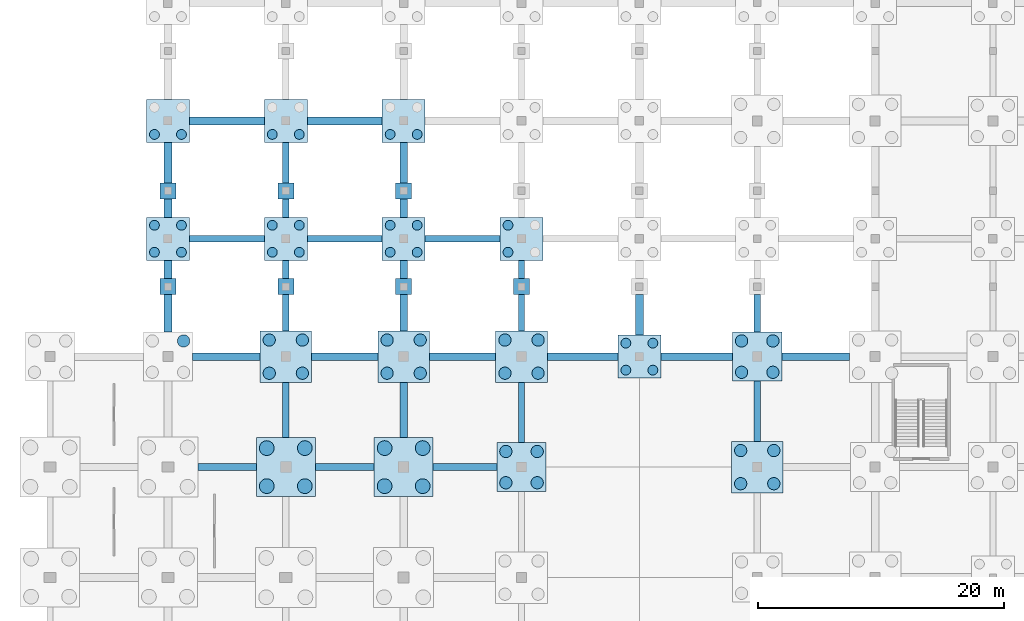
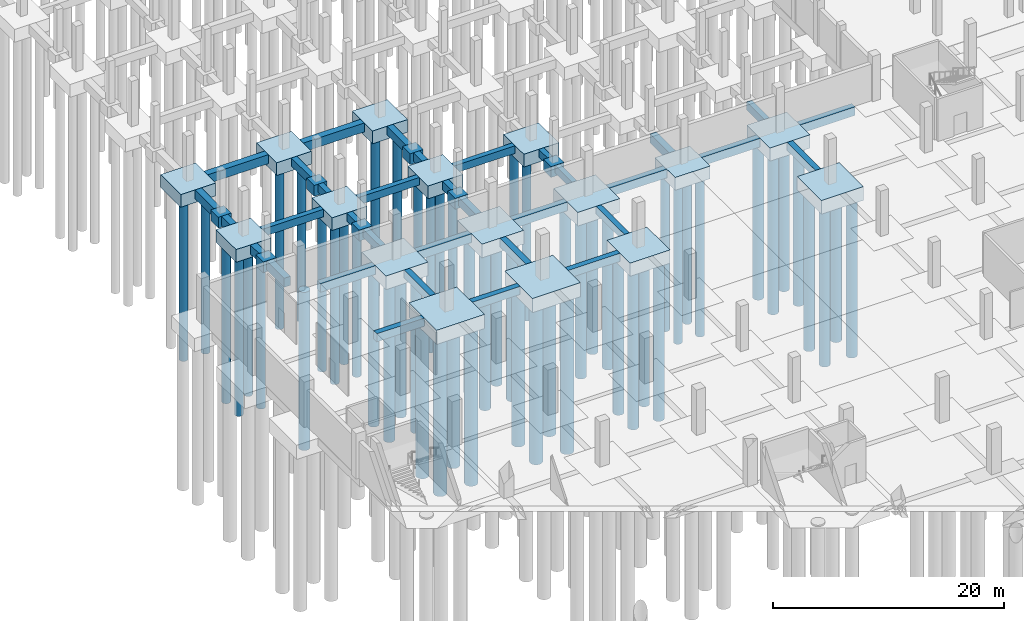
# One storey, part 6 of 39: 57 footings, 57 piles.
"""IFC4 building model written with IfcOpenShell, lengths in metres."""

from ifc_helpers import new_model, si_unit, direction, frame, origin, origin_2d, place, context, subcontext, project, spatial, polyline, rectangle, circle, outline, extrude, material, material_profile, profile_set, type_object, element, save


model = new_model("IFC4")

# Units and contexts
model_context = context("Model", 3, precision=1e-05, world=origin(), true_north=direction((0.0, 1.0)))
body_context = subcontext(model_context, "Body", "Model", "MODEL_VIEW")
ifc_project = project(units=[si_unit("LENGTHUNIT", "METRE"), si_unit("AREAUNIT", "SQUARE_METRE"), si_unit("VOLUMEUNIT", "CUBIC_METRE"), si_unit("PLANEANGLEUNIT", "RADIAN"), si_unit("MASSUNIT", "GRAM", prefix="KILO")], contexts=[model_context])

# Site, building, storey
site_placement = place(None, origin())
site = spatial("IfcSite", under=ifc_project, at=site_placement, CompositionType="ELEMENT")
building_placement = place(site_placement, origin())
building = spatial("IfcBuilding", under=site, at=building_placement, Name="Zarnetskaya Central Station", CompositionType="ELEMENT")
storey_placement = place(building_placement, frame((0.0, 0.0, -4.800048828125)))
storey = spatial("IfcBuildingStorey", under=building, at=storey_placement, Name="B1", CompositionType="ELEMENT", Elevation=-4.800048828125)

# Footings
ifc_material_1 = material(Name="Concrete C30/37", Category="concrete")
footing_type_1 = type_object("IfcFootingType", Name="FB-500x800", PredefinedType="FOOTING_BEAM", material=ifc_material_1)
footing_1_placement = place(storey_placement, frame((0.0, 0.0, -0.800048828125)))
element("IfcFooting", 1, at=footing_1_placement, inside=storey, type_object=footing_type_1, Name="Footing tie beam 10 B-C", PredefinedType="FOOTING_BEAM", context=body_context, shape_type="SweptSolid", body=[
    extrude(outline(polyline([(11.35009765625, 76.550048828125), (17.449951171875, 76.550048828125), (17.449951171875, 77.050048828125), (11.35009765625, 77.050048828125), (11.35009765625, 76.550048828125)])), origin(), (0.0, 0.0, 1.0), 0.800048828125),
])
footing_2_placement = place(storey_placement, frame((0.0, 0.0, -0.800048828125)))
element("IfcFooting", 2, at=footing_2_placement, inside=storey, type_object=footing_type_1, Name="Footing tie beam 10 C-D", PredefinedType="FOOTING_BEAM", context=body_context, shape_type="SweptSolid", body=[
    extrude(outline(polyline([(20.949951171875, 76.550048828125), (27.050048828125, 76.550048828125), (27.050048828125, 77.050048828125), (20.949951171875, 77.050048828125), (20.949951171875, 76.550048828125)])), origin(), (0.0, 0.0, 1.0), 0.800048828125),
])
footing_3_placement = place(storey_placement, frame((0.0, 0.0, -0.800048828125)))
element("IfcFooting", 3, at=footing_3_placement, inside=storey, type_object=footing_type_1, Name="Footing tie beam 10 D-E", PredefinedType="FOOTING_BEAM", context=body_context, shape_type="SweptSolid", body=[
    extrude(outline(polyline([(30.550048828125, 76.550048828125), (36.64990234375, 76.550048828125), (36.64990234375, 77.050048828125), (30.550048828125, 77.050048828125), (30.550048828125, 76.550048828125)])), origin(), (0.0, 0.0, 1.0), 0.800048828125),
])
footing_4_placement = place(storey_placement, frame((0.0, 0.0, -0.800048828125)))
element("IfcFooting", 4, at=footing_4_placement, inside=storey, type_object=footing_type_1, Name="Footing tie beam E 8-9", PredefinedType="FOOTING_BEAM", context=body_context, shape_type="SweptSolid", body=[
    extrude(outline(polyline([(38.14990234375, 60.199951171875), (38.64990234375, 60.199951171875), (38.64990234375, 65.10009765625), (38.14990234375, 65.10009765625), (38.14990234375, 60.199951171875)])), origin(), (0.0, 0.0, 1.0), 0.800048828125),
])
footing_5_placement = place(storey_placement, frame((0.0, 0.0, -0.800048828125)))
element("IfcFooting", 5, at=footing_5_placement, inside=storey, type_object=footing_type_1, Name="Footing tie beam E 9-10 part 1", PredefinedType="FOOTING_BEAM", context=body_context, shape_type="SweptSolid", body=[
    extrude(outline(polyline([(38.14990234375, 69.300048828125), (38.64990234375, 69.300048828125), (38.64990234375, 72.25), (38.14990234375, 72.25), (38.14990234375, 69.300048828125)])), origin(), (0.0, 0.0, 1.0), 0.800048828125),
])
footing_6_placement = place(storey_placement, frame((0.0, 0.0, -0.800048828125)))
element("IfcFooting", 6, at=footing_6_placement, inside=storey, type_object=footing_type_1, Name="Footing tie beam E 9-10 part 2", PredefinedType="FOOTING_BEAM", context=body_context, shape_type="SweptSolid", body=[
    extrude(outline(polyline([(38.14990234375, 73.550048828125), (38.64990234375, 73.550048828125), (38.64990234375, 75.050048828125), (38.14990234375, 75.050048828125), (38.14990234375, 73.550048828125)])), origin(), (0.0, 0.0, 1.0), 0.800048828125),
])
footing_type_2 = type_object("IfcFootingType", Name="FB-550x850", PredefinedType="FOOTING_BEAM", material=ifc_material_1)
footing_7_placement = place(storey_placement, frame((0.0, 0.0, -0.849853515625)))
element("IfcFooting", 7, at=footing_7_placement, inside=storey, type_object=footing_type_2, Name="Footing tie beam 8 B-C", PredefinedType="FOOTING_BEAM", context=body_context, shape_type="SweptSolid", body=[
    extrude(outline(polyline([(12.050048828125, 57.925048828125), (16.800048828125, 57.925048828125), (16.800048828125, 58.47509765625), (12.050048828125, 58.47509765625), (12.050048828125, 57.925048828125)])), origin(), (0.0, 0.0, 1.0), 0.849853515625),
])
footing_8_placement = place(storey_placement, frame((0.0, 0.0, -0.849853515625)))
element("IfcFooting", 8, at=footing_8_placement, inside=storey, type_object=footing_type_2, Name="Footing tie beam 8 C-D", PredefinedType="FOOTING_BEAM", context=body_context, shape_type="SweptSolid", body=[
    extrude(outline(polyline([(21.60009765625, 57.925048828125), (26.39990234375, 57.925048828125), (26.39990234375, 58.47509765625), (21.60009765625, 58.47509765625), (21.60009765625, 57.925048828125)])), origin(), (0.0, 0.0, 1.0), 0.849853515625),
])
footing_9_placement = place(storey_placement, frame((0.0, 0.0, -0.849853515625)))
element("IfcFooting", 9, at=footing_9_placement, inside=storey, type_object=footing_type_2, Name="Footing tie beam 8 D-E", PredefinedType="FOOTING_BEAM", context=body_context, shape_type="SweptSolid", body=[
    extrude(outline(polyline([(31.199951171875, 57.925048828125), (36.39990234375, 57.925048828125), (36.39990234375, 58.47509765625), (31.199951171875, 58.47509765625), (31.199951171875, 57.925048828125)])), origin(), (0.0, 0.0, 1.0), 0.849853515625),
])
footing_10_placement = place(storey_placement, frame((0.0, 0.0, -0.849853515625)))
element("IfcFooting", 10, at=footing_10_placement, inside=storey, type_object=footing_type_2, Name="Footing tie beam C 8-9", PredefinedType="FOOTING_BEAM", context=body_context, shape_type="SweptSolid", body=[
    extrude(outline(polyline([(18.925048828125, 60.60009765625), (19.47509765625, 60.60009765625), (19.47509765625, 65.10009765625), (18.925048828125, 65.10009765625), (18.925048828125, 60.60009765625)])), origin(), (0.0, 0.0, 1.0), 0.849853515625),
])
footing_11_placement = place(storey_placement, frame((0.0, 0.0, -0.849853515625)))
element("IfcFooting", 11, at=footing_11_placement, inside=storey, type_object=footing_type_2, Name="Footing tie beam C 9-10 part 1", PredefinedType="FOOTING_BEAM", context=body_context, shape_type="SweptSolid", body=[
    extrude(outline(polyline([(18.925048828125, 69.300048828125), (19.47509765625, 69.300048828125), (19.47509765625, 72.25), (18.925048828125, 72.25), (18.925048828125, 69.300048828125)])), origin(), (0.0, 0.0, 1.0), 0.849853515625),
])
footing_12_placement = place(storey_placement, frame((0.0, 0.0, -0.849853515625)))
element("IfcFooting", 12, at=footing_12_placement, inside=storey, type_object=footing_type_2, Name="Footing tie beam C 9-10 part 2", PredefinedType="FOOTING_BEAM", context=body_context, shape_type="SweptSolid", body=[
    extrude(outline(polyline([(18.925048828125, 73.550048828125), (19.47509765625, 73.550048828125), (19.47509765625, 75.050048828125), (18.925048828125, 75.050048828125), (18.925048828125, 73.550048828125)])), origin(), (0.0, 0.0, 1.0), 0.849853515625),
])
footing_13_placement = place(storey_placement, frame((0.0, 0.0, -0.849853515625)))
element("IfcFooting", 13, at=footing_13_placement, inside=storey, type_object=footing_type_2, Name="Footing tie beam C 10-11 part 1", PredefinedType="FOOTING_BEAM", context=body_context, shape_type="SweptSolid", body=[
    extrude(outline(polyline([(18.925048828125, 78.550048828125), (19.47509765625, 78.550048828125), (19.47509765625, 80.050048828125), (18.925048828125, 80.050048828125), (18.925048828125, 78.550048828125)])), origin(), (0.0, 0.0, 1.0), 0.849853515625),
])
footing_14_placement = place(storey_placement, frame((0.0, 0.0, -0.849853515625)))
element("IfcFooting", 14, at=footing_14_placement, inside=storey, type_object=footing_type_2, Name="Footing tie beam C 10-11 part 2", PredefinedType="FOOTING_BEAM", context=body_context, shape_type="SweptSolid", body=[
    extrude(outline(polyline([(18.925048828125, 81.35009765625), (19.47509765625, 81.35009765625), (19.47509765625, 84.64990234375), (18.925048828125, 84.64990234375), (18.925048828125, 81.35009765625)])), origin(), (0.0, 0.0, 1.0), 0.849853515625),
])
footing_15_placement = place(storey_placement, frame((0.0, 0.0, -0.849853515625)))
element("IfcFooting", 15, at=footing_15_placement, inside=storey, type_object=footing_type_2, Name="Footing tie beam G 8-9", PredefinedType="FOOTING_BEAM", context=body_context, shape_type="SweptSolid", body=[
    extrude(outline(polyline([(57.324951171875, 60.300048828125), (57.875, 60.300048828125), (57.875, 65.199951171875), (57.324951171875, 65.199951171875), (57.324951171875, 60.300048828125)])), origin(), (0.0, 0.0, 1.0), 0.849853515625),
])
footing_16_placement = place(storey_placement, frame((0.0, 0.0, -0.849853515625)))
element("IfcFooting", 16, at=footing_16_placement, inside=storey, type_object=footing_type_2, Name="Footing tie beam G 9-10 part 1", PredefinedType="FOOTING_BEAM", context=body_context, shape_type="SweptSolid", body=[
    extrude(outline(polyline([(57.324951171875, 69.199951171875), (57.875, 69.199951171875), (57.875, 72.25), (57.324951171875, 72.25), (57.324951171875, 69.199951171875)])), origin(), (0.0, 0.0, 1.0), 0.849853515625),
])
footing_type_3 = type_object("IfcFootingType", Name="FB-600x900", PredefinedType="FOOTING_BEAM", material=ifc_material_1)
footing_17_placement = place(storey_placement, frame((0.0, 0.0, -0.89990234375)))
element("IfcFooting", 17, at=footing_17_placement, inside=storey, type_object=footing_type_3, Name="Footing tie beam 9 B-C", PredefinedType="FOOTING_BEAM", context=body_context, shape_type="SweptSolid", body=[
    extrude(outline(polyline([(11.60009765625, 66.89990234375), (17.10009765625, 66.89990234375), (17.10009765625, 67.5), (11.60009765625, 67.5), (11.60009765625, 66.89990234375)])), origin(), (0.0, 0.0, 1.0), 0.89990234375),
])
footing_18_placement = place(storey_placement, frame((0.0, 0.0, -0.89990234375)))
element("IfcFooting", 18, at=footing_18_placement, inside=storey, type_object=footing_type_3, Name="Footing tie beam 9 C-D", PredefinedType="FOOTING_BEAM", context=body_context, shape_type="SweptSolid", body=[
    extrude(outline(polyline([(21.300048828125, 66.89990234375), (26.699951171875, 66.89990234375), (26.699951171875, 67.5), (21.300048828125, 67.5), (21.300048828125, 66.89990234375)])), origin(), (0.0, 0.0, 1.0), 0.89990234375),
])
footing_19_placement = place(storey_placement, frame((0.0, 0.0, -0.89990234375)))
element("IfcFooting", 19, at=footing_19_placement, inside=storey, type_object=footing_type_3, Name="Footing tie beam 9 D-E", PredefinedType="FOOTING_BEAM", context=body_context, shape_type="SweptSolid", body=[
    extrude(outline(polyline([(30.89990234375, 66.89990234375), (36.300048828125, 66.89990234375), (36.300048828125, 67.5), (30.89990234375, 67.5), (30.89990234375, 66.89990234375)])), origin(), (0.0, 0.0, 1.0), 0.89990234375),
])
footing_20_placement = place(storey_placement, frame((0.0, 0.0, -0.89990234375)))
element("IfcFooting", 20, at=footing_20_placement, inside=storey, type_object=footing_type_3, Name="Footing tie beam 9 E-F", PredefinedType="FOOTING_BEAM", context=body_context, shape_type="SweptSolid", body=[
    extrude(outline(polyline([(40.5, 66.89990234375), (46.25, 66.89990234375), (46.25, 67.5), (40.5, 67.5), (40.5, 66.89990234375)])), origin(), (0.0, 0.0, 1.0), 0.89990234375),
])
footing_21_placement = place(storey_placement, frame((0.0, 0.0, -0.89990234375)))
element("IfcFooting", 21, at=footing_21_placement, inside=storey, type_object=footing_type_3, Name="Footing tie beam 9 F-G", PredefinedType="FOOTING_BEAM", context=body_context, shape_type="SweptSolid", body=[
    extrude(outline(polyline([(49.75, 66.89990234375), (55.60009765625, 66.89990234375), (55.60009765625, 67.5), (49.75, 67.5), (49.75, 66.89990234375)])), origin(), (0.0, 0.0, 1.0), 0.89990234375),
])
footing_22_placement = place(storey_placement, frame((0.0, 0.0, -0.89990234375)))
element("IfcFooting", 22, at=footing_22_placement, inside=storey, type_object=footing_type_3, Name="Footing tie beam 9 G-H", PredefinedType="FOOTING_BEAM", context=body_context, shape_type="SweptSolid", body=[
    extrude(outline(polyline([(59.60009765625, 66.89990234375), (65.10009765625, 66.89990234375), (65.10009765625, 67.5), (59.60009765625, 67.5), (59.60009765625, 66.89990234375)])), origin(), (0.0, 0.0, 1.0), 0.89990234375),
])
footing_23_placement = place(storey_placement, frame((0.0, 0.0, -0.89990234375)))
element("IfcFooting", 23, at=footing_23_placement, inside=storey, type_object=footing_type_3, Name="Footing tie beam D 8-9", PredefinedType="FOOTING_BEAM", context=body_context, shape_type="SweptSolid", body=[
    extrude(outline(polyline([(28.5, 60.60009765625), (29.10009765625, 60.60009765625), (29.10009765625, 65.10009765625), (28.5, 65.10009765625), (28.5, 60.60009765625)])), origin(), (0.0, 0.0, 1.0), 0.89990234375),
])
footing_24_placement = place(storey_placement, frame((0.0, 0.0, -0.89990234375)))
element("IfcFooting", 24, at=footing_24_placement, inside=storey, type_object=footing_type_3, Name="Footing tie beam D 9-10 part 1", PredefinedType="FOOTING_BEAM", context=body_context, shape_type="SweptSolid", body=[
    extrude(outline(polyline([(28.5, 69.300048828125), (29.10009765625, 69.300048828125), (29.10009765625, 72.25), (28.5, 72.25), (28.5, 69.300048828125)])), origin(), (0.0, 0.0, 1.0), 0.89990234375),
])
footing_25_placement = place(storey_placement, frame((0.0, 0.0, -0.89990234375)))
element("IfcFooting", 25, at=footing_25_placement, inside=storey, type_object=footing_type_3, Name="Footing tie beam D 9-10 part 2", PredefinedType="FOOTING_BEAM", context=body_context, shape_type="SweptSolid", body=[
    extrude(outline(polyline([(28.5, 73.550048828125), (29.10009765625, 73.550048828125), (29.10009765625, 75.050048828125), (28.5, 75.050048828125), (28.5, 73.550048828125)])), origin(), (0.0, 0.0, 1.0), 0.89990234375),
])
footing_26_placement = place(storey_placement, frame((0.0, 0.0, -0.89990234375)))
element("IfcFooting", 26, at=footing_26_placement, inside=storey, type_object=footing_type_3, Name="Footing tie beam D 10-11 part 1", PredefinedType="FOOTING_BEAM", context=body_context, shape_type="SweptSolid", body=[
    extrude(outline(polyline([(28.5, 78.550048828125), (29.10009765625, 78.550048828125), (29.10009765625, 80.050048828125), (28.5, 80.050048828125), (28.5, 78.550048828125)])), origin(), (0.0, 0.0, 1.0), 0.89990234375),
])
footing_27_placement = place(storey_placement, frame((0.0, 0.0, -0.89990234375)))
element("IfcFooting", 27, at=footing_27_placement, inside=storey, type_object=footing_type_3, Name="Footing tie beam D 10-11 part 2", PredefinedType="FOOTING_BEAM", context=body_context, shape_type="SweptSolid", body=[
    extrude(outline(polyline([(28.5, 81.35009765625), (29.10009765625, 81.35009765625), (29.10009765625, 84.64990234375), (28.5, 84.64990234375), (28.5, 81.35009765625)])), origin(), (0.0, 0.0, 1.0), 0.89990234375),
])
footing_type_4 = type_object("IfcFootingType", Name="FB-650x950", PredefinedType="FOOTING_BEAM", material=ifc_material_1)
footing_28_placement = place(storey_placement, frame((0.0, 0.0, -0.949951171875)))
element("IfcFooting", 28, at=footing_28_placement, inside=storey, type_object=footing_type_4, Name="Footing tie beam 11 B-C", PredefinedType="FOOTING_BEAM", context=body_context, shape_type="SweptSolid", body=[
    extrude(outline(polyline([(11.35009765625, 86.074951171875), (17.449951171875, 86.074951171875), (17.449951171875, 86.72509765625), (11.35009765625, 86.72509765625), (11.35009765625, 86.074951171875)])), origin(), (0.0, 0.0, 1.0), 0.949951171875),
])
footing_29_placement = place(storey_placement, frame((0.0, 0.0, -0.949951171875)))
element("IfcFooting", 29, at=footing_29_placement, inside=storey, type_object=footing_type_4, Name="Footing tie beam 11 C-D", PredefinedType="FOOTING_BEAM", context=body_context, shape_type="SweptSolid", body=[
    extrude(outline(polyline([(20.949951171875, 86.074951171875), (27.050048828125, 86.074951171875), (27.050048828125, 86.72509765625), (20.949951171875, 86.72509765625), (20.949951171875, 86.074951171875)])), origin(), (0.0, 0.0, 1.0), 0.949951171875),
])
footing_30_placement = place(storey_placement, frame((0.0, 0.0, -0.949951171875)))
element("IfcFooting", 30, at=footing_30_placement, inside=storey, type_object=footing_type_4, Name="Footing tie beam B 9-10 part 1", PredefinedType="FOOTING_BEAM", context=body_context, shape_type="SweptSolid", body=[
    extrude(outline(polyline([(9.27490234375, 69.199951171875), (9.925048828125, 69.199951171875), (9.925048828125, 72.25), (9.27490234375, 72.25), (9.27490234375, 69.199951171875)])), origin(), (0.0, 0.0, 1.0), 0.949951171875),
])
footing_31_placement = place(storey_placement, frame((0.0, 0.0, -0.949951171875)))
element("IfcFooting", 31, at=footing_31_placement, inside=storey, type_object=footing_type_4, Name="Footing tie beam B 9-10 part 2", PredefinedType="FOOTING_BEAM", context=body_context, shape_type="SweptSolid", body=[
    extrude(outline(polyline([(9.27490234375, 73.550048828125), (9.925048828125, 73.550048828125), (9.925048828125, 75.050048828125), (9.27490234375, 75.050048828125), (9.27490234375, 73.550048828125)])), origin(), (0.0, 0.0, 1.0), 0.949951171875),
])
footing_32_placement = place(storey_placement, frame((0.0, 0.0, -0.949951171875)))
element("IfcFooting", 32, at=footing_32_placement, inside=storey, type_object=footing_type_4, Name="Footing tie beam B 10-11 part 1", PredefinedType="FOOTING_BEAM", context=body_context, shape_type="SweptSolid", body=[
    extrude(outline(polyline([(9.27490234375, 78.550048828125), (9.925048828125, 78.550048828125), (9.925048828125, 80.050048828125), (9.27490234375, 80.050048828125), (9.27490234375, 78.550048828125)])), origin(), (0.0, 0.0, 1.0), 0.949951171875),
])
footing_33_placement = place(storey_placement, frame((0.0, 0.0, -0.949951171875)))
element("IfcFooting", 33, at=footing_33_placement, inside=storey, type_object=footing_type_4, Name="Footing tie beam B 10-11 part 2", PredefinedType="FOOTING_BEAM", context=body_context, shape_type="SweptSolid", body=[
    extrude(outline(polyline([(9.27490234375, 81.35009765625), (9.925048828125, 81.35009765625), (9.925048828125, 84.64990234375), (9.27490234375, 84.64990234375), (9.27490234375, 81.35009765625)])), origin(), (0.0, 0.0, 1.0), 0.949951171875),
])
footing_34_placement = place(storey_placement, frame((0.0, 0.0, -0.949951171875)))
element("IfcFooting", 34, at=footing_34_placement, inside=storey, type_object=footing_type_4, Name="Footing tie beam F 9-10 part 1", PredefinedType="FOOTING_BEAM", context=body_context, shape_type="SweptSolid", body=[
    extrude(outline(polyline([(47.675048828125, 68.949951171875), (48.324951171875, 68.949951171875), (48.324951171875, 72.25), (47.675048828125, 72.25), (47.675048828125, 68.949951171875)])), origin(), (0.0, 0.0, 1.0), 0.949951171875),
])
ifc_material_2 = material(Name="Concrete C35/45", Category="concrete")
footing_type_5 = type_object("IfcFootingType", Name="PAD-PIER-130", PredefinedType="PAD_FOOTING", material=ifc_material_2)
for number, where, z_axis, x_axis, name in (
    (35, (9.60009765625, 72.89990234375, -1.14990234375), (0.0, 0.0, 1.0), (1.0, 0.0, 0.0), "Platform pier pad P1-BN"),
    (36, (19.199951171875, 72.89990234375, -1.14990234375), (0.0, 0.0, 1.0), (1.0, 0.0, 0.0), "Platform pier pad P1-CN"),
    (37, (28.800048828125, 72.89990234375, -1.14990234375), (0.0, 0.0, 1.0), (1.0, 0.0, 0.0), "Platform pier pad P1-DN"),
    (38, (38.39990234375, 72.89990234375, -1.14990234375), (0.0, 0.0, 1.0), (1.0, 0.0, 0.0), "Platform pier pad P1-EN"),
    (39, (9.60009765625, 80.699951171875, -1.14990234375), (0.0, 0.0, 1.0), (1.0, 0.0, 0.0), "Platform pier pad P2-BS"),
    (40, (19.199951171875, 80.699951171875, -1.14990234375), (0.0, 0.0, 1.0), (1.0, 0.0, 0.0), "Platform pier pad P2-CS"),
    (41, (28.800048828125, 80.699951171875, -1.14990234375), (0.0, 0.0, 1.0), (1.0, 0.0, 0.0), "Platform pier pad P2-DS"),
):
    element("IfcFooting", number, at=place(storey_placement, frame(where, z_axis=z_axis, x_axis=x_axis)), inside=storey, type_object=footing_type_5, Name=name, PredefinedType="PAD_FOOTING", context=body_context, shape_type="SweptSolid", body=[
        extrude(rectangle(XDim=1.300048828125, YDim=1.300048828125, at=origin_2d()), origin(), (0.0, 0.0, 1.0), 1.14990234375),
    ])
footing_type_6 = type_object("IfcFootingType", Name="PC-4P-1000A", PredefinedType="PILE_CAP", material=ifc_material_2)
for number, where, z_axis, x_axis, name in (
    (42, (19.199951171875, 67.199951171875, -1.44970703125), (0.0, 0.0, 1.0), (1.0, 0.0, 0.0), "Pile cap C9"),
    (43, (28.800048828125, 67.199951171875, -1.44970703125), (0.0, 0.0, 1.0), (1.0, 0.0, 0.0), "Pile cap D9"),
    (44, (38.39990234375, 67.199951171875, -1.44970703125), (0.0, 0.0, 1.0), (1.0, 0.0, 0.0), "Pile cap E9"),
    (45, (57.60009765625, 58.199951171875, -1.44970703125), (0.0, 0.0, 1.0), (1.0, 0.0, 0.0), "Pile cap G8"),
):
    element("IfcFooting", number, at=place(storey_placement, frame(where, z_axis=z_axis, x_axis=x_axis)), inside=storey, type_object=footing_type_6, Name=name, PredefinedType="PILE_CAP", context=body_context, shape_type="SweptSolid", body=[
        extrude(rectangle(XDim=4.199951171875, YDim=4.199951171875, at=origin_2d()), origin(), (0.0, 0.0, 1.0), 1.449951171875),
    ])
footing_type_7 = type_object("IfcFootingType", Name="PC-4P-1000B", PredefinedType="PILE_CAP", material=ifc_material_2)
for number, where, z_axis, x_axis, name in (
    (46, (38.39990234375, 58.199951171875, -1.39990234375), (0.0, 0.0, 1.0), (1.0, 0.0, 0.0), "Pile cap E8"),
    (47, (57.60009765625, 67.199951171875, -1.39990234375), (0.0, 0.0, 1.0), (1.0, 0.0, 0.0), "Pile cap G9"),
):
    element("IfcFooting", number, at=place(storey_placement, frame(where, z_axis=z_axis, x_axis=x_axis)), inside=storey, type_object=footing_type_7, Name=name, PredefinedType="PILE_CAP", context=body_context, shape_type="SweptSolid", body=[
        extrude(rectangle(XDim=4.0, YDim=4.0, at=origin_2d()), origin(), (0.0, 0.0, 1.0), 1.39990234375),
    ])
footing_type_8 = type_object("IfcFootingType", Name="PC-4P-1200B", PredefinedType="PILE_CAP", material=ifc_material_2)
for number, where, z_axis, x_axis, name in (
    (48, (19.199951171875, 58.199951171875, -1.5), (0.0, 0.0, 1.0), (1.0, 0.0, 0.0), "Pile cap C8"),
    (49, (28.800048828125, 58.199951171875, -1.5), (0.0, 0.0, 1.0), (1.0, 0.0, 0.0), "Pile cap D8"),
):
    element("IfcFooting", number, at=place(storey_placement, frame(where, z_axis=z_axis, x_axis=x_axis)), inside=storey, type_object=footing_type_8, Name=name, PredefinedType="PILE_CAP", context=body_context, shape_type="SweptSolid", body=[
        extrude(rectangle(XDim=4.800048828125, YDim=4.800048828125, at=origin_2d()), origin(), (0.0, 0.0, 1.0), 1.5),
    ])
footing_type_9 = type_object("IfcFootingType", Name="PC-4P-800A", PredefinedType="PILE_CAP", material=ifc_material_2)
for number, where, z_axis, x_axis, name in (
    (50, (9.60009765625, 76.800048828125, -1.35009765625), (0.0, 0.0, 1.0), (1.0, 0.0, 0.0), "Pile cap B10"),
    (51, (9.60009765625, 86.39990234375, -1.35009765625), (0.0, 0.0, 1.0), (1.0, 0.0, 0.0), "Pile cap B11"),
    (52, (19.199951171875, 76.800048828125, -1.35009765625), (0.0, 0.0, 1.0), (1.0, 0.0, 0.0), "Pile cap C10"),
    (53, (19.199951171875, 86.39990234375, -1.35009765625), (0.0, 0.0, 1.0), (1.0, 0.0, 0.0), "Pile cap C11"),
    (54, (28.800048828125, 76.800048828125, -1.35009765625), (0.0, 0.0, 1.0), (1.0, 0.0, 0.0), "Pile cap D10"),
    (55, (28.800048828125, 86.39990234375, -1.35009765625), (0.0, 0.0, 1.0), (1.0, 0.0, 0.0), "Pile cap D11"),
    (56, (38.39990234375, 76.800048828125, -1.35009765625), (0.0, 0.0, 1.0), (1.0, 0.0, 0.0), "Pile cap E10"),
    (57, (48.0, 67.199951171875, -1.35009765625), (0.0, 0.0, 1.0), (1.0, 0.0, 0.0), "Pile cap F9"),
):
    element("IfcFooting", number, at=place(storey_placement, frame(where, z_axis=z_axis, x_axis=x_axis)), inside=storey, type_object=footing_type_9, Name=name, PredefinedType="PILE_CAP", context=body_context, shape_type="SweptSolid", body=[
        extrude(rectangle(XDim=3.5, YDim=3.5, at=origin_2d()), origin(), (0.0, 0.0, 1.0), 1.35009765625),
    ])

# Piles
ifc_material_profile_1 = material_profile(ifc_material_2, circle(Radius=0.5, at=origin_2d()), Name="BORED PILE D1000")
ifc_profile_set_1 = profile_set([ifc_material_profile_1], Name="Concrete C35/45")
pile_type_1 = type_object("IfcPileType", Name="PILE-D1000", PredefinedType="BORED", material=ifc_profile_set_1)
pile_placement = place(storey_placement, frame((10.875, 68.47509765625, -1.25), z_axis=(0.0, 0.0, -1.0), x_axis=(1.0, 0.0, 0.0)))
element("IfcPile", 58, at=pile_placement, inside=storey, type_object=pile_type_1, Name="Bored pile B9-22", PredefinedType="BORED", context=body_context, shape_type="SweptSolid", body=[
    extrude(circle(Radius=0.5, at=origin_2d()), origin(), (0.0, 0.0, 1.0), 16.75),
])
for number, where, z_axis, x_axis, name in (
    (59, (17.85009765625, 65.85009765625, -1.300048828125), (0.0, 0.0, -1.0), (1.0, 0.0, 0.0), "Bored pile C9-11"),
    (60, (17.85009765625, 68.550048828125, -1.300048828125), (0.0, 0.0, -1.0), (1.0, 0.0, 0.0), "Bored pile C9-12"),
    (61, (20.550048828125, 65.85009765625, -1.300048828125), (0.0, 0.0, -1.0), (1.0, 0.0, 0.0), "Bored pile C9-21"),
    (62, (20.550048828125, 68.550048828125, -1.300048828125), (0.0, 0.0, -1.0), (1.0, 0.0, 0.0), "Bored pile C9-22"),
    (63, (27.449951171875, 65.85009765625, -1.300048828125), (0.0, 0.0, -1.0), (1.0, 0.0, 0.0), "Bored pile D9-11"),
    (64, (27.449951171875, 68.550048828125, -1.300048828125), (0.0, 0.0, -1.0), (1.0, 0.0, 0.0), "Bored pile D9-12"),
    (65, (30.14990234375, 65.85009765625, -1.300048828125), (0.0, 0.0, -1.0), (1.0, 0.0, 0.0), "Bored pile D9-21"),
    (66, (30.14990234375, 68.550048828125, -1.300048828125), (0.0, 0.0, -1.0), (1.0, 0.0, 0.0), "Bored pile D9-22"),
):
    element("IfcPile", number, at=place(storey_placement, frame(where, z_axis=z_axis, x_axis=x_axis)), inside=storey, type_object=pile_type_1, Name=name, PredefinedType="BORED", context=body_context, shape_type="SweptSolid", body=[
        extrude(circle(Radius=0.5, at=origin_2d()), origin(), (0.0, 0.0, 1.0), 16.699951171875),
    ])
for number, where, z_axis, x_axis, name in (
    (67, (37.125, 56.925048828125, -1.25), (0.0, 0.0, -1.0), (1.0, 0.0, 0.0), "Bored pile E8-11"),
    (68, (37.125, 59.47509765625, -1.25), (0.0, 0.0, -1.0), (1.0, 0.0, 0.0), "Bored pile E8-12"),
    (69, (39.675048828125, 56.925048828125, -1.25), (0.0, 0.0, -1.0), (1.0, 0.0, 0.0), "Bored pile E8-21"),
    (70, (39.675048828125, 59.47509765625, -1.25), (0.0, 0.0, -1.0), (1.0, 0.0, 0.0), "Bored pile E8-22"),
):
    element("IfcPile", number, at=place(storey_placement, frame(where, z_axis=z_axis, x_axis=x_axis)), inside=storey, type_object=pile_type_1, Name=name, PredefinedType="BORED", context=body_context, shape_type="SweptSolid", body=[
        extrude(circle(Radius=0.5, at=origin_2d()), origin(), (0.0, 0.0, 1.0), 16.75),
    ])
for number, where, z_axis, x_axis, name in (
    (71, (37.050048828125, 65.85009765625, -1.300048828125), (0.0, 0.0, -1.0), (1.0, 0.0, 0.0), "Bored pile E9-11"),
    (72, (37.050048828125, 68.550048828125, -1.300048828125), (0.0, 0.0, -1.0), (1.0, 0.0, 0.0), "Bored pile E9-12"),
    (73, (39.75, 65.85009765625, -1.300048828125), (0.0, 0.0, -1.0), (1.0, 0.0, 0.0), "Bored pile E9-21"),
    (74, (39.75, 68.550048828125, -1.300048828125), (0.0, 0.0, -1.0), (1.0, 0.0, 0.0), "Bored pile E9-22"),
    (75, (56.25, 56.85009765625, -1.300048828125), (0.0, 0.0, -1.0), (1.0, 0.0, 0.0), "Bored pile G8-11"),
    (76, (56.25, 59.550048828125, -1.300048828125), (0.0, 0.0, -1.0), (1.0, 0.0, 0.0), "Bored pile G8-12"),
    (77, (58.949951171875, 56.85009765625, -1.300048828125), (0.0, 0.0, -1.0), (1.0, 0.0, 0.0), "Bored pile G8-21"),
    (78, (58.949951171875, 59.550048828125, -1.300048828125), (0.0, 0.0, -1.0), (1.0, 0.0, 0.0), "Bored pile G8-22"),
):
    element("IfcPile", number, at=place(storey_placement, frame(where, z_axis=z_axis, x_axis=x_axis)), inside=storey, type_object=pile_type_1, Name=name, PredefinedType="BORED", context=body_context, shape_type="SweptSolid", body=[
        extrude(circle(Radius=0.5, at=origin_2d()), origin(), (0.0, 0.0, 1.0), 16.699951171875),
    ])
for number, where, z_axis, x_axis, name in (
    (79, (56.324951171875, 65.925048828125, -1.25), (0.0, 0.0, -1.0), (1.0, 0.0, 0.0), "Bored pile G9-11"),
    (80, (56.324951171875, 68.47509765625, -1.25), (0.0, 0.0, -1.0), (1.0, 0.0, 0.0), "Bored pile G9-12"),
    (81, (58.875, 65.925048828125, -1.25), (0.0, 0.0, -1.0), (1.0, 0.0, 0.0), "Bored pile G9-21"),
    (82, (58.875, 68.47509765625, -1.25), (0.0, 0.0, -1.0), (1.0, 0.0, 0.0), "Bored pile G9-22"),
):
    element("IfcPile", number, at=place(storey_placement, frame(where, z_axis=z_axis, x_axis=x_axis)), inside=storey, type_object=pile_type_1, Name=name, PredefinedType="BORED", context=body_context, shape_type="SweptSolid", body=[
        extrude(circle(Radius=0.5, at=origin_2d()), origin(), (0.0, 0.0, 1.0), 16.75),
    ])
ifc_material_profile_2 = material_profile(ifc_material_2, circle(Radius=0.60009765625, at=origin_2d()), Name="BORED PILE D1200")
ifc_profile_set_2 = profile_set([ifc_material_profile_2], Name="Concrete C35/45")
pile_type_2 = type_object("IfcPileType", Name="PILE-D1200", PredefinedType="BORED", material=ifc_profile_set_2)
for number, where, z_axis, x_axis, name in (
    (83, (17.64990234375, 56.64990234375, -1.349853515625), (0.0, 0.0, -1.0), (1.0, 0.0, 0.0), "Bored pile C8-11"),
    (84, (17.64990234375, 59.75, -1.349853515625), (0.0, 0.0, -1.0), (1.0, 0.0, 0.0), "Bored pile C8-12"),
    (85, (20.75, 56.64990234375, -1.349853515625), (0.0, 0.0, -1.0), (1.0, 0.0, 0.0), "Bored pile C8-21"),
    (86, (20.75, 59.75, -1.349853515625), (0.0, 0.0, -1.0), (1.0, 0.0, 0.0), "Bored pile C8-22"),
    (87, (27.25, 56.64990234375, -1.349853515625), (0.0, 0.0, -1.0), (1.0, 0.0, 0.0), "Bored pile D8-11"),
    (88, (27.25, 59.75, -1.349853515625), (0.0, 0.0, -1.0), (1.0, 0.0, 0.0), "Bored pile D8-12"),
    (89, (30.35009765625, 56.64990234375, -1.349853515625), (0.0, 0.0, -1.0), (1.0, 0.0, 0.0), "Bored pile D8-21"),
    (90, (30.35009765625, 59.75, -1.349853515625), (0.0, 0.0, -1.0), (1.0, 0.0, 0.0), "Bored pile D8-22"),
):
    element("IfcPile", number, at=place(storey_placement, frame(where, z_axis=z_axis, x_axis=x_axis)), inside=storey, type_object=pile_type_2, Name=name, PredefinedType="BORED", context=body_context, shape_type="SweptSolid", body=[
        extrude(circle(Radius=0.60009765625, at=origin_2d()), origin(), (0.0, 0.0, 1.0), 16.64990234375),
    ])
ifc_material_profile_3 = material_profile(ifc_material_2, circle(Radius=0.39990234375, at=origin_2d()), Name="BORED PILE D800")
ifc_profile_set_3 = profile_set([ifc_material_profile_3], Name="Concrete C35/45")
pile_type_3 = type_object("IfcPileType", Name="PILE-D800", PredefinedType="BORED", material=ifc_profile_set_3)
for number, where, z_axis, x_axis, name in (
    (91, (8.5, 75.699951171875, -1.199951171875), (0.0, 0.0, -1.0), (1.0, 0.0, 0.0), "Bored pile B10-11"),
    (92, (8.5, 77.89990234375, -1.199951171875), (0.0, 0.0, -1.0), (1.0, 0.0, 0.0), "Bored pile B10-12"),
    (93, (10.699951171875, 75.699951171875, -1.199951171875), (0.0, 0.0, -1.0), (1.0, 0.0, 0.0), "Bored pile B10-21"),
    (94, (10.699951171875, 77.89990234375, -1.199951171875), (0.0, 0.0, -1.0), (1.0, 0.0, 0.0), "Bored pile B10-22"),
    (95, (8.5, 85.300048828125, -1.199951171875), (0.0, 0.0, -1.0), (1.0, 0.0, 0.0), "Bored pile B11-11"),
    (96, (10.699951171875, 85.300048828125, -1.199951171875), (0.0, 0.0, -1.0), (1.0, 0.0, 0.0), "Bored pile B11-21"),
    (97, (18.10009765625, 75.699951171875, -1.199951171875), (0.0, 0.0, -1.0), (1.0, 0.0, 0.0), "Bored pile C10-11"),
    (98, (18.10009765625, 77.89990234375, -1.199951171875), (0.0, 0.0, -1.0), (1.0, 0.0, 0.0), "Bored pile C10-12"),
    (99, (20.300048828125, 75.699951171875, -1.199951171875), (0.0, 0.0, -1.0), (1.0, 0.0, 0.0), "Bored pile C10-21"),
    (100, (20.300048828125, 77.89990234375, -1.199951171875), (0.0, 0.0, -1.0), (1.0, 0.0, 0.0), "Bored pile C10-22"),
    (101, (18.10009765625, 85.300048828125, -1.199951171875), (0.0, 0.0, -1.0), (1.0, 0.0, 0.0), "Bored pile C11-11"),
    (102, (20.300048828125, 85.300048828125, -1.199951171875), (0.0, 0.0, -1.0), (1.0, 0.0, 0.0), "Bored pile C11-21"),
    (103, (27.699951171875, 75.699951171875, -1.199951171875), (0.0, 0.0, -1.0), (1.0, 0.0, 0.0), "Bored pile D10-11"),
    (104, (27.699951171875, 77.89990234375, -1.199951171875), (0.0, 0.0, -1.0), (1.0, 0.0, 0.0), "Bored pile D10-12"),
    (105, (29.89990234375, 75.699951171875, -1.199951171875), (0.0, 0.0, -1.0), (1.0, 0.0, 0.0), "Bored pile D10-21"),
    (106, (29.89990234375, 77.89990234375, -1.199951171875), (0.0, 0.0, -1.0), (1.0, 0.0, 0.0), "Bored pile D10-22"),
    (107, (27.699951171875, 85.300048828125, -1.199951171875), (0.0, 0.0, -1.0), (1.0, 0.0, 0.0), "Bored pile D11-11"),
    (108, (29.89990234375, 85.300048828125, -1.199951171875), (0.0, 0.0, -1.0), (1.0, 0.0, 0.0), "Bored pile D11-21"),
    (109, (37.300048828125, 75.699951171875, -1.199951171875), (0.0, 0.0, -1.0), (1.0, 0.0, 0.0), "Bored pile E10-11"),
    (110, (37.300048828125, 77.89990234375, -1.199951171875), (0.0, 0.0, -1.0), (1.0, 0.0, 0.0), "Bored pile E10-12"),
    (111, (46.89990234375, 66.10009765625, -1.199951171875), (0.0, 0.0, -1.0), (1.0, 0.0, 0.0), "Bored pile F9-11"),
    (112, (46.89990234375, 68.300048828125, -1.199951171875), (0.0, 0.0, -1.0), (1.0, 0.0, 0.0), "Bored pile F9-12"),
    (113, (49.10009765625, 66.10009765625, -1.199951171875), (0.0, 0.0, -1.0), (1.0, 0.0, 0.0), "Bored pile F9-21"),
    (114, (49.10009765625, 68.300048828125, -1.199951171875), (0.0, 0.0, -1.0), (1.0, 0.0, 0.0), "Bored pile F9-22"),
):
    element("IfcPile", number, at=place(storey_placement, frame(where, z_axis=z_axis, x_axis=x_axis)), inside=storey, type_object=pile_type_3, Name=name, PredefinedType="BORED", context=body_context, shape_type="SweptSolid", body=[
        extrude(circle(Radius=0.39990234375, at=origin_2d()), origin(), (0.0, 0.0, 1.0), 16.800048828125),
    ])

save(model, "model.ifc")
